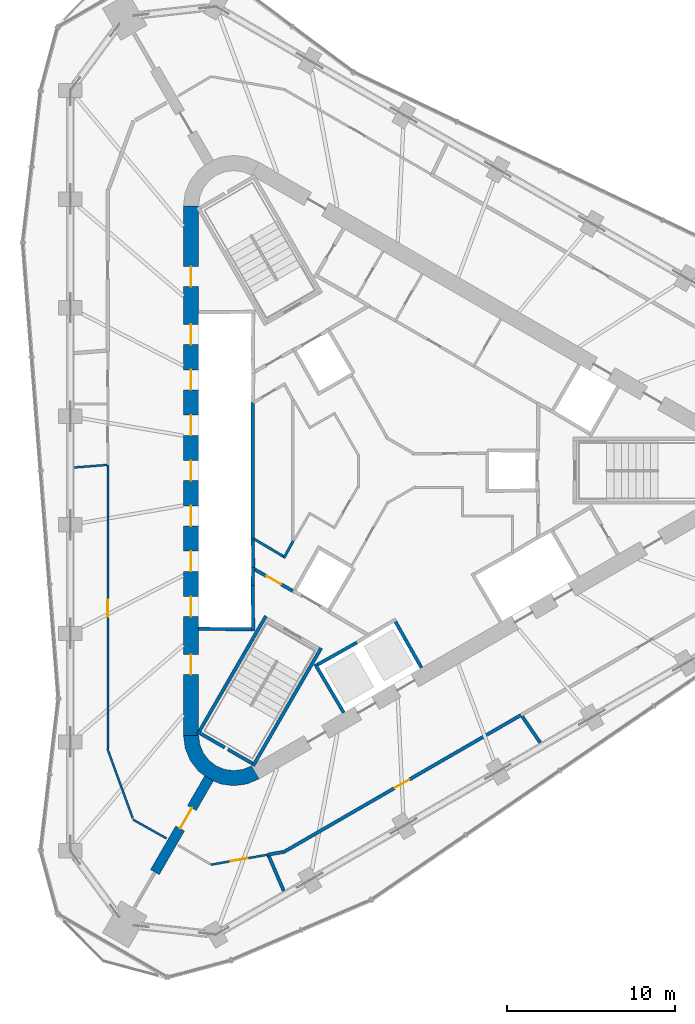
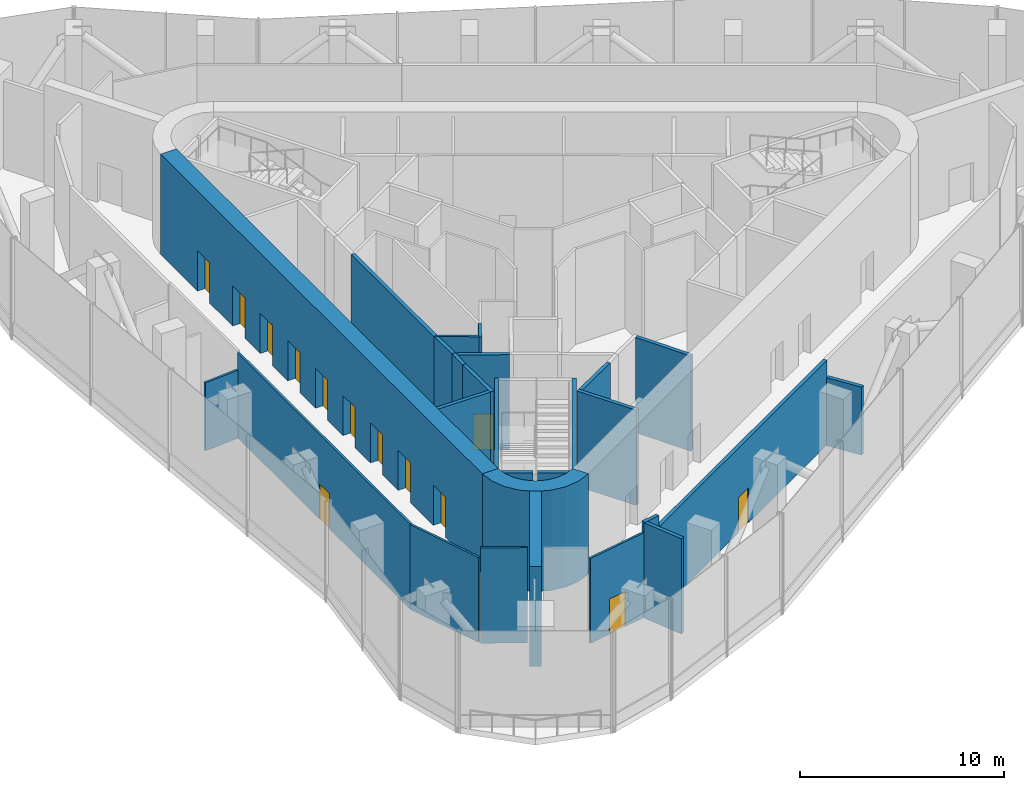
# One storey, part 7 of 15: 27 walls, 14 doors, 14 openings.
"""IFC4 building model written with IfcOpenShell, lengths in metres."""

from ifc_helpers import new_model, si_unit, direction, frame, frame_2d, origin, place, context, subcontext, project, spatial, polyline, rectangle, outline, extrude, material, layer, layer_set, type_object, element, fill, save


model = new_model("IFC4")

# Units and contexts
model_context = context("Model", 3, precision=1e-05, world=origin(), true_north=direction((0.0, 1.0)))
body_context = subcontext(model_context, "Body", "Model", "MODEL_VIEW")
ifc_project = project(units=[si_unit("LENGTHUNIT", "METRE"), si_unit("AREAUNIT", "SQUARE_METRE"), si_unit("VOLUMEUNIT", "CUBIC_METRE"), si_unit("PLANEANGLEUNIT", "RADIAN"), si_unit("MASSUNIT", "GRAM", prefix="KILO")], contexts=[model_context])

# Site, building, storey
site_placement = place(None, origin())
site = spatial("IfcSite", under=ifc_project, at=site_placement, CompositionType="ELEMENT")
building_placement = place(site_placement, origin())
building = spatial("IfcBuilding", under=site, at=building_placement, Name="Tanit Gate Tower", CompositionType="ELEMENT")
storey_placement = place(building_placement, frame((0.0, 0.0, 392.300048828125)))
storey = spatial("IfcBuildingStorey", under=building, at=storey_placement, Name="L90", CompositionType="ELEMENT", Elevation=392.300048828125)

# Wall, opening, door
ifc_material_1 = material(Name="Concrete C40/50", Category="concrete")
ifc_layer_1 = layer(ifc_material_1, 0.60009765625)
ifc_layer_set_1 = layer_set([ifc_layer_1], Name="BUTTRESS FIN 600 C40/50")
wall_type_1 = type_object("IfcWallType", Name="BUTTRESS FIN 600 C40/50", PredefinedType="SHEAR", material=ifc_layer_set_1)
wall_1_placement = place(storey_placement, frame((-10.574951171875, -18.31640625, 0.0), z_axis=(0.0, 0.0, 1.0), x_axis=(-0.500011655475, -0.866018674388, 0.0)))
wall_1 = element("IfcWall", 1, at=wall_1_placement, inside=storey, type_object=wall_type_1, Name="BUTTRESS FIN", PredefinedType="SHEAR", context=body_context, shape_type="SweptSolid", body=[
    extrude(rectangle(XDim=6.454833984375, YDim=0.60009765625, at=frame_2d((3.2275390625, 0.0))), origin(), (0.0, 0.0, 1.0), 6.0),
])
opening_1_placement = place(wall_1_placement, frame((2.050048828125, 0.0, 0.0)))
opening_1 = element("IfcOpeningElement", 2, at=opening_1_placement, cuts=wall_1, Name="Opening P14-90-F-SW-1", PredefinedType="OPENING", context=body_context, shape_type="SweptSolid", body=[
    extrude(rectangle(XDim=1.39990234375, YDim=2.39990234375, at=frame_2d((0.699951171875, 1.199951171875))), frame((0.0, 0.31005859375, 0.0), z_axis=(0.0, -1.0, 0.0), x_axis=(1.0, 0.0, 0.0)), (0.0, 0.0, 1.0), 0.6201171875),
])
ifc_material_2 = material(Name="Timber door leaf", Category="wood")
door_type_1 = type_object("IfcDoorType", Name="INT-DOOR-FIN-PAIR-1400", OperationType="NOTDEFINED", PredefinedType="NOTDEFINED", material=ifc_material_2)
door_1_placement = place(opening_1_placement, origin())
door_1 = element("IfcDoor", 3, at=door_1_placement, inside=storey, type_object=door_type_1, Name="Door P14-90-F-SW-1", OperationType="DOUBLE_DOOR_SINGLE_SWING", OverallHeight=2.39990234375, OverallWidth=1.39990234375, PredefinedType="NOTDEFINED", context=body_context, shape_type="SweptSolid", body=[
    extrude(rectangle(XDim=1.39990234375, YDim=2.39990234375, at=frame_2d((0.699951171875, 1.199951171875))), frame((0.0, 0.02490234375, 0.0), z_axis=(0.0, -1.0, 0.0), x_axis=(1.0, 0.0, 0.0)), (0.0, 0.0, 1.0), 0.050048828125),
])
fill(opening_1, door_1)

# Wall, openings, doors
ifc_material_3 = material(Name="Concrete C40/50", Category="concrete")
ifc_layer_2 = layer(ifc_material_3, 0.89990234375)
ifc_layer_set_2 = layer_set([ifc_layer_2], Name="CORE WALL 900 C40/50")
wall_type_2 = type_object("IfcWallType", Name="CORE WALL 900 C40/50", PredefinedType="SHEAR", material=ifc_layer_set_2)
wall_2_placement = place(storey_placement, frame((-11.64990234375, 15.76171875, 0.0), z_axis=(0.0, 0.0, 1.0), x_axis=(0.0, -1.0, 0.0)))
wall_2 = element("IfcWall", 4, at=wall_2_placement, inside=storey, type_object=wall_type_2, Name="CORE WALL", PredefinedType="SHEAR", context=body_context, shape_type="SweptSolid", body=[
    extrude(rectangle(XDim=31.5234375, YDim=0.89990234375, at=frame_2d((15.76171875, 0.0))), origin(), (0.0, 0.0, 1.0), 6.0),
])
opening_2_placement = place(wall_2_placement, frame((7.061767578125, 0.0, 0.0)))
opening_2 = element("IfcOpeningElement", 5, at=opening_2_placement, cuts=wall_2, Name="Opening LDHL1-90", PredefinedType="OPENING", context=body_context, shape_type="SweptSolid", body=[
    extrude(rectangle(XDim=1.199951171875, YDim=2.39990234375, at=frame_2d((0.60009765625, 1.199951171875))), frame((0.0, 0.4599609375, 0.0), z_axis=(0.0, -1.0, 0.0), x_axis=(1.0, 0.0, 0.0)), (0.0, 0.0, 1.0), 0.919921875),
])
opening_3_placement = place(wall_2_placement, frame((9.76171875, 0.0, 0.0)))
opening_3 = element("IfcOpeningElement", 6, at=opening_3_placement, cuts=wall_2, Name="Opening LDHL2-90", PredefinedType="OPENING", context=body_context, shape_type="SweptSolid", body=[
    extrude(rectangle(XDim=1.199951171875, YDim=2.39990234375, at=frame_2d((0.60009765625, 1.199951171875))), frame((0.0, 0.4599609375, 0.0), z_axis=(0.0, -1.0, 0.0), x_axis=(1.0, 0.0, 0.0)), (0.0, 0.0, 1.0), 0.919921875),
])
opening_4_placement = place(wall_2_placement, frame((12.461669921875, 0.0, 0.0)))
opening_4 = element("IfcOpeningElement", 7, at=opening_4_placement, cuts=wall_2, Name="Opening LDHL3-90", PredefinedType="OPENING", context=body_context, shape_type="SweptSolid", body=[
    extrude(rectangle(XDim=1.199951171875, YDim=2.39990234375, at=frame_2d((0.60009765625, 1.199951171875))), frame((0.0, 0.4599609375, 0.0), z_axis=(0.0, -1.0, 0.0), x_axis=(1.0, 0.0, 0.0)), (0.0, 0.0, 1.0), 0.919921875),
])
opening_5_placement = place(wall_2_placement, frame((15.16162109375, 0.0, 0.0)))
opening_5 = element("IfcOpeningElement", 8, at=opening_5_placement, cuts=wall_2, Name="Opening LDHL4-90", PredefinedType="OPENING", context=body_context, shape_type="SweptSolid", body=[
    extrude(rectangle(XDim=1.199951171875, YDim=2.39990234375, at=frame_2d((0.60009765625, 1.199951171875))), frame((0.0, 0.4599609375, 0.0), z_axis=(0.0, -1.0, 0.0), x_axis=(1.0, 0.0, 0.0)), (0.0, 0.0, 1.0), 0.919921875),
])
opening_6_placement = place(wall_2_placement, frame((17.86181640625, 0.0, 0.0)))
opening_6 = element("IfcOpeningElement", 9, at=opening_6_placement, cuts=wall_2, Name="Opening LDHL5-90", PredefinedType="OPENING", context=body_context, shape_type="SweptSolid", body=[
    extrude(rectangle(XDim=1.199951171875, YDim=2.39990234375, at=frame_2d((0.60009765625, 1.199951171875))), frame((0.0, 0.4599609375, 0.0), z_axis=(0.0, -1.0, 0.0), x_axis=(1.0, 0.0, 0.0)), (0.0, 0.0, 1.0), 0.919921875),
])
opening_7_placement = place(wall_2_placement, frame((20.561767578125, 0.0, 0.0)))
opening_7 = element("IfcOpeningElement", 10, at=opening_7_placement, cuts=wall_2, Name="Opening LDHL6-90", PredefinedType="OPENING", context=body_context, shape_type="SweptSolid", body=[
    extrude(rectangle(XDim=1.199951171875, YDim=2.39990234375, at=frame_2d((0.60009765625, 1.199951171875))), frame((0.0, 0.4599609375, 0.0), z_axis=(0.0, -1.0, 0.0), x_axis=(1.0, 0.0, 0.0)), (0.0, 0.0, 1.0), 0.919921875),
])
opening_8_placement = place(wall_2_placement, frame((23.26171875, 0.0, 0.0)))
opening_8 = element("IfcOpeningElement", 11, at=opening_8_placement, cuts=wall_2, Name="Opening LDHL7-90", PredefinedType="OPENING", context=body_context, shape_type="SweptSolid", body=[
    extrude(rectangle(XDim=1.199951171875, YDim=2.39990234375, at=frame_2d((0.60009765625, 1.199951171875))), frame((0.0, 0.4599609375, 0.0), z_axis=(0.0, -1.0, 0.0), x_axis=(1.0, 0.0, 0.0)), (0.0, 0.0, 1.0), 0.919921875),
])
opening_9_placement = place(wall_2_placement, frame((3.61181640625, 0.0, 0.0)))
opening_9 = element("IfcOpeningElement", 12, at=opening_9_placement, cuts=wall_2, Name="Opening F12-90-FL2", PredefinedType="OPENING", context=body_context, shape_type="SweptSolid", body=[
    extrude(rectangle(XDim=1.199951171875, YDim=2.39990234375, at=frame_2d((0.60009765625, 1.199951171875))), frame((0.0, 0.4599609375, 0.0), z_axis=(0.0, -1.0, 0.0), x_axis=(1.0, 0.0, 0.0)), (0.0, 0.0, 1.0), 0.919921875),
])
opening_10_placement = place(wall_2_placement, frame((26.711669921875, 0.0, 0.0)))
opening_10 = element("IfcOpeningElement", 13, at=opening_10_placement, cuts=wall_2, Name="Opening F12-90-S3", PredefinedType="OPENING", context=body_context, shape_type="SweptSolid", body=[
    extrude(rectangle(XDim=1.199951171875, YDim=2.39990234375, at=frame_2d((0.60009765625, 1.199951171875))), frame((0.0, 0.4599609375, 0.0), z_axis=(0.0, -1.0, 0.0), x_axis=(1.0, 0.0, 0.0)), (0.0, 0.0, 1.0), 0.919921875),
])
ifc_material_4 = material(Name="Fire-rated steel door leaf", Category="steel")
door_type_2 = type_object("IfcDoorType", Name="INT-DOOR-FIRE-LOBBY-1200", OperationType="NOTDEFINED", PredefinedType="USERDEFINED", material=ifc_material_4)
door_2_placement = place(opening_9_placement, origin())
door_2 = element("IfcDoor", 14, at=door_2_placement, inside=storey, type_object=door_type_2, Name="Door F12-90-FL2", ObjectType="FIRE DOOR", OperationType="SINGLE_SWING_LEFT", OverallHeight=2.39990234375, OverallWidth=1.199951171875, PredefinedType="USERDEFINED", context=body_context, shape_type="SweptSolid", body=[
    extrude(rectangle(XDim=1.199951171875, YDim=2.39990234375, at=frame_2d((0.60009765625, 1.199951171875))), frame((0.0, 0.02490234375, 0.0), z_axis=(0.0, -1.0, 0.0), x_axis=(1.0, 0.0, 0.0)), (0.0, 0.0, 1.0), 0.050048828125),
])
fill(opening_9, door_2)
door_3_placement = place(opening_10_placement, origin())
door_3 = element("IfcDoor", 15, at=door_3_placement, inside=storey, type_object=door_type_2, Name="Door F12-90-S3", ObjectType="FIRE DOOR", OperationType="SINGLE_SWING_RIGHT", OverallHeight=2.39990234375, OverallWidth=1.199951171875, PredefinedType="USERDEFINED", context=body_context, shape_type="SweptSolid", body=[
    extrude(rectangle(XDim=1.199951171875, YDim=2.39990234375, at=frame_2d((0.60009765625, 1.199951171875))), frame((0.0, 0.02490234375, 0.0), z_axis=(0.0, -1.0, 0.0), x_axis=(1.0, 0.0, 0.0)), (0.0, 0.0, 1.0), 0.050048828125),
])
fill(opening_10, door_3)
ifc_material_5 = material(Name="Stainless steel sliding door leaf", Category="steel")
door_type_3 = type_object("IfcDoorType", Name="INT-DOOR-LANDING-1200", OperationType="NOTDEFINED", PredefinedType="USERDEFINED", material=ifc_material_5)
door_4_placement = place(opening_2_placement, origin())
door_4 = element("IfcDoor", 16, at=door_4_placement, inside=storey, type_object=door_type_3, Name="Door LDHL1-90", ObjectType="LANDING DOOR", OperationType="SLIDING_TO_LEFT", OverallHeight=2.39990234375, OverallWidth=1.199951171875, PredefinedType="USERDEFINED", context=body_context, shape_type="SweptSolid", body=[
    extrude(rectangle(XDim=1.199951171875, YDim=2.39990234375, at=frame_2d((0.60009765625, 1.199951171875))), frame((0.0, 0.02490234375, 0.0), z_axis=(0.0, -1.0, 0.0), x_axis=(1.0, 0.0, 0.0)), (0.0, 0.0, 1.0), 0.050048828125),
])
fill(opening_2, door_4)
door_5_placement = place(opening_3_placement, origin())
door_5 = element("IfcDoor", 17, at=door_5_placement, inside=storey, type_object=door_type_3, Name="Door LDHL2-90", ObjectType="LANDING DOOR", OperationType="SLIDING_TO_LEFT", OverallHeight=2.39990234375, OverallWidth=1.199951171875, PredefinedType="USERDEFINED", context=body_context, shape_type="SweptSolid", body=[
    extrude(rectangle(XDim=1.199951171875, YDim=2.39990234375, at=frame_2d((0.60009765625, 1.199951171875))), frame((0.0, 0.02490234375, 0.0), z_axis=(0.0, -1.0, 0.0), x_axis=(1.0, 0.0, 0.0)), (0.0, 0.0, 1.0), 0.050048828125),
])
fill(opening_3, door_5)
door_6_placement = place(opening_4_placement, origin())
door_6 = element("IfcDoor", 18, at=door_6_placement, inside=storey, type_object=door_type_3, Name="Door LDHL3-90", ObjectType="LANDING DOOR", OperationType="SLIDING_TO_LEFT", OverallHeight=2.39990234375, OverallWidth=1.199951171875, PredefinedType="USERDEFINED", context=body_context, shape_type="SweptSolid", body=[
    extrude(rectangle(XDim=1.199951171875, YDim=2.39990234375, at=frame_2d((0.60009765625, 1.199951171875))), frame((0.0, 0.02490234375, 0.0), z_axis=(0.0, -1.0, 0.0), x_axis=(1.0, 0.0, 0.0)), (0.0, 0.0, 1.0), 0.050048828125),
])
fill(opening_4, door_6)
door_7_placement = place(opening_5_placement, origin())
door_7 = element("IfcDoor", 19, at=door_7_placement, inside=storey, type_object=door_type_3, Name="Door LDHL4-90", ObjectType="LANDING DOOR", OperationType="SLIDING_TO_LEFT", OverallHeight=2.39990234375, OverallWidth=1.199951171875, PredefinedType="USERDEFINED", context=body_context, shape_type="SweptSolid", body=[
    extrude(rectangle(XDim=1.199951171875, YDim=2.39990234375, at=frame_2d((0.60009765625, 1.199951171875))), frame((0.0, 0.02490234375, 0.0), z_axis=(0.0, -1.0, 0.0), x_axis=(1.0, 0.0, 0.0)), (0.0, 0.0, 1.0), 0.050048828125),
])
fill(opening_5, door_7)
door_8_placement = place(opening_6_placement, origin())
door_8 = element("IfcDoor", 20, at=door_8_placement, inside=storey, type_object=door_type_3, Name="Door LDHL5-90", ObjectType="LANDING DOOR", OperationType="SLIDING_TO_LEFT", OverallHeight=2.39990234375, OverallWidth=1.199951171875, PredefinedType="USERDEFINED", context=body_context, shape_type="SweptSolid", body=[
    extrude(rectangle(XDim=1.199951171875, YDim=2.39990234375, at=frame_2d((0.60009765625, 1.199951171875))), frame((0.0, 0.02490234375, 0.0), z_axis=(0.0, -1.0, 0.0), x_axis=(1.0, 0.0, 0.0)), (0.0, 0.0, 1.0), 0.050048828125),
])
fill(opening_6, door_8)
door_9_placement = place(opening_7_placement, origin())
door_9 = element("IfcDoor", 21, at=door_9_placement, inside=storey, type_object=door_type_3, Name="Door LDHL6-90", ObjectType="LANDING DOOR", OperationType="SLIDING_TO_LEFT", OverallHeight=2.39990234375, OverallWidth=1.199951171875, PredefinedType="USERDEFINED", context=body_context, shape_type="SweptSolid", body=[
    extrude(rectangle(XDim=1.199951171875, YDim=2.39990234375, at=frame_2d((0.60009765625, 1.199951171875))), frame((0.0, 0.02490234375, 0.0), z_axis=(0.0, -1.0, 0.0), x_axis=(1.0, 0.0, 0.0)), (0.0, 0.0, 1.0), 0.050048828125),
])
fill(opening_7, door_9)
door_10_placement = place(opening_8_placement, origin())
door_10 = element("IfcDoor", 22, at=door_10_placement, inside=storey, type_object=door_type_3, Name="Door LDHL7-90", ObjectType="LANDING DOOR", OperationType="SLIDING_TO_LEFT", OverallHeight=2.39990234375, OverallWidth=1.199951171875, PredefinedType="USERDEFINED", context=body_context, shape_type="SweptSolid", body=[
    extrude(rectangle(XDim=1.199951171875, YDim=2.39990234375, at=frame_2d((0.60009765625, 1.199951171875))), frame((0.0, 0.02490234375, 0.0), z_axis=(0.0, -1.0, 0.0), x_axis=(1.0, 0.0, 0.0)), (0.0, 0.0, 1.0), 0.050048828125),
])
fill(opening_8, door_10)

# Wall
wall_3_placement = place(storey_placement, origin())
element("IfcWall", 23, at=wall_3_placement, inside=storey, type_object=wall_type_2, Name="CORE WALL CORNER", PredefinedType="SHEAR", context=body_context, shape_type="SweptSolid", body=[
    extrude(outline(polyline([(-12.10009765625, -15.76171875), (-11.997802734375, -16.5380859375), (-11.697998046875, -17.26171875), (-11.22119140625, -17.883056640625), (-10.60009765625, -18.359619140625), (-9.87646484375, -18.659423828125), (-9.10009765625, -18.76171875), (-8.323486328125, -18.659423828125), (-7.60009765625, -18.359619140625), (-8.050048828125, -17.580322265625), (-8.556396484375, -17.7900390625), (-9.10009765625, -17.86181640625), (-9.6435546875, -17.7900390625), (-10.14990234375, -17.580322265625), (-10.5849609375, -17.24658203125), (-10.918701171875, -16.811767578125), (-11.12841796875, -16.30517578125), (-11.199951171875, -15.76171875), (-12.10009765625, -15.76171875)])), origin(), (0.0, 0.0, 1.0), 6.0),
])

# Wall, opening, door
ifc_material_6 = material(Name="Fire-rated gypsum board partition")
ifc_layer_3 = layer(ifc_material_6, 0.199951171875)
ifc_layer_set_3 = layer_set([ifc_layer_3], Name="INT-WALL-COMPARTMENT")
wall_type_3 = type_object("IfcWallType", Name="INT-WALL-COMPARTMENT", PredefinedType="PARTITIONING", material=ifc_layer_set_3)
wall_4_placement = place(storey_placement, frame((-7.849365234375, -5.893798828125, 0.0), z_axis=(0.0, 0.0, 1.0), x_axis=(0.871363259478, -0.490638431059, 0.0)))
wall_4 = element("IfcWall", 24, at=wall_4_placement, inside=storey, type_object=wall_type_3, Name="Wall Compartment W069", PredefinedType="PARTITIONING", context=body_context, shape_type="SweptSolid", body=[
    extrude(rectangle(XDim=2.5810546875, YDim=0.199951171875, at=frame_2d((1.29052734375, 0.0))), origin(), (0.0, 0.0, 1.0), 5.699951171875),
])
opening_11_placement = place(wall_4_placement, frame((0.79052734375, 0.0, 0.0)))
opening_11 = element("IfcOpeningElement", 25, at=opening_11_placement, cuts=wall_4, Name="Opening F10-90-08", PredefinedType="OPENING", context=body_context, shape_type="SweptSolid", body=[
    extrude(rectangle(XDim=1.0, YDim=2.10009765625, at=frame_2d((0.5, 1.050048828125))), frame((0.0, 0.10986328125, 0.0), z_axis=(0.0, -1.0, 0.0), x_axis=(1.0, 0.0, 0.0)), (0.0, 0.0, 1.0), 0.219970703125),
])
ifc_material_7 = material(Name="Fire-rated steel door leaf", Category="steel")
door_type_4 = type_object("IfcDoorType", Name="INT-DOOR-FIRE-1000", OperationType="NOTDEFINED", PredefinedType="USERDEFINED", material=ifc_material_7)
door_11_placement = place(opening_11_placement, origin())
door_11 = element("IfcDoor", 26, at=door_11_placement, inside=storey, type_object=door_type_4, Name="Door F10-90-08", ObjectType="FIRE DOOR", OperationType="SINGLE_SWING_RIGHT", OverallHeight=2.10009765625, OverallWidth=1.0, PredefinedType="USERDEFINED", context=body_context, shape_type="SweptSolid", body=[
    extrude(rectangle(XDim=1.0, YDim=2.10009765625, at=frame_2d((0.5, 1.050048828125))), frame((0.0, 0.02490234375, 0.0), z_axis=(0.0, -1.0, 0.0), x_axis=(1.0, 0.0, 0.0)), (0.0, 0.0, 1.0), 0.050048828125),
])
fill(opening_11, door_11)

wall_5_placement = place(storey_placement, frame((-6.1923828125, -22.7431640625, 0.0), z_axis=(0.0, 0.0, 1.0), x_axis=(0.86602812093, 0.499995293736, 0.0)))
wall_5 = element("IfcWall", 27, at=wall_5_placement, inside=storey, type_object=wall_type_3, Name="Wall Compartment W114", PredefinedType="PARTITIONING", context=body_context, shape_type="SweptSolid", body=[
    extrude(rectangle(XDim=16.369384765625, YDim=0.199951171875, at=frame_2d((8.1845703125, 0.0))), origin(), (0.0, 0.0, 1.0), 5.070068359375),
])
opening_12_placement = place(wall_5_placement, frame((7.699951171875, 0.0, 0.0)))
opening_12 = element("IfcOpeningElement", 28, at=opening_12_placement, cuts=wall_5, Name="Opening F10-90-26", PredefinedType="OPENING", context=body_context, shape_type="SweptSolid", body=[
    extrude(rectangle(XDim=1.0, YDim=2.10009765625, at=frame_2d((0.5, 1.050048828125))), frame((0.0, 0.10986328125, 0.0), z_axis=(0.0, -1.0, 0.0), x_axis=(1.0, 0.0, 0.0)), (0.0, 0.0, 1.0), 0.219970703125),
])
door_12_placement = place(opening_12_placement, origin())
door_12 = element("IfcDoor", 29, at=door_12_placement, inside=storey, type_object=door_type_4, Name="Door F10-90-26", ObjectType="FIRE DOOR", OperationType="SINGLE_SWING_LEFT", OverallHeight=2.10009765625, OverallWidth=1.0, PredefinedType="USERDEFINED", context=body_context, shape_type="SweptSolid", body=[
    extrude(rectangle(XDim=1.0, YDim=2.10009765625, at=frame_2d((0.5, 1.050048828125))), frame((0.0, 0.02490234375, 0.0), z_axis=(0.0, -1.0, 0.0), x_axis=(1.0, 0.0, 0.0)), (0.0, 0.0, 1.0), 0.050048828125),
])
fill(opening_12, door_12)

# Walls
wall_6_placement = place(storey_placement, frame((-7.09228515625, -22.8671875, 0.0), z_axis=(0.0, 0.0, 1.0), x_axis=(0.984821698497, 0.173569070315, 0.0)))
element("IfcWall", 30, at=wall_6_placement, inside=storey, type_object=wall_type_3, Name="Wall Compartment W115", PredefinedType="PARTITIONING", context=body_context, shape_type="SweptSolid", body=[
    extrude(rectangle(XDim=0.901611328125, YDim=0.199951171875, at=frame_2d((0.45068359375, 0.0))), origin(), (0.0, 0.0, 1.0), 5.699951171875),
])
wall_7_placement = place(storey_placement, frame((-7.035400390625, -22.918212890625, 0.0), z_axis=(0.0, 0.0, 1.0), x_axis=(0.395604523809, -0.91842096053, 0.0)))
element("IfcWall", 31, at=wall_7_placement, inside=storey, type_object=wall_type_3, Name="Wall Compartment W119", PredefinedType="PARTITIONING", context=body_context, shape_type="SweptSolid", body=[
    extrude(rectangle(XDim=2.28955078125, YDim=0.199951171875, at=frame_2d((1.144775390625, 0.0))), origin(), (0.0, 0.0, 1.0), 5.699951171875),
])
wall_8_placement = place(storey_placement, frame((8.0615234375, -14.629150390625, 0.0), z_axis=(0.0, 0.0, 1.0), x_axis=(0.565801599427, -0.824541418054, 0.0)))
element("IfcWall", 32, at=wall_8_placement, inside=storey, type_object=wall_type_3, Name="Wall Compartment W120", PredefinedType="PARTITIONING", context=body_context, shape_type="SweptSolid", body=[
    extrude(rectangle(XDim=1.909912109375, YDim=0.199951171875, at=frame_2d((0.955078125, 0.0))), origin(), (0.0, 0.0, 1.0), 4.070068359375),
])

# Wall, opening, door
ifc_material_8 = material(Name="Gypsum board partition")
ifc_layer_4 = layer(ifc_material_8, 0.1201171875)
ifc_layer_set_4 = layer_set([ifc_layer_4], Name="INT-WALL-PARTITION")
wall_type_4 = type_object("IfcWallType", Name="INT-WALL-PARTITION", PredefinedType="PARTITIONING", material=ifc_layer_set_4)
wall_9_placement = place(storey_placement, frame((-16.60009765625, 0.343505859375, 0.0), z_axis=(0.0, 0.0, 1.0), x_axis=(0.0, -1.0, 0.0)))
wall_9 = element("IfcWall", 33, at=wall_9_placement, inside=storey, type_object=wall_type_4, Name="Wall Partition W098", PredefinedType="PARTITIONING", context=body_context, shape_type="SweptSolid", body=[
    extrude(rectangle(XDim=16.91796875, YDim=0.1201171875, at=frame_2d((8.458984375, 0.0))), origin(), (0.0, 0.0, 1.0), 5.070068359375),
])
opening_13_placement = place(wall_9_placement, frame((8.03466796875, 0.0, 0.0)))
opening_13 = element("IfcOpeningElement", 34, at=opening_13_placement, cuts=wall_9, Name="Opening D10-90-22", PredefinedType="OPENING", context=body_context, shape_type="SweptSolid", body=[
    extrude(rectangle(XDim=1.0, YDim=2.10009765625, at=frame_2d((0.5, 1.050048828125))), frame((0.0, 0.070068359375, 0.0), z_axis=(0.0, -1.0, 0.0), x_axis=(1.0, 0.0, 0.0)), (0.0, 0.0, 1.0), 0.14013671875),
])
ifc_material_9 = material(Name="Timber door leaf", Category="wood")
door_type_5 = type_object("IfcDoorType", Name="INT-DOOR-SINGLE-1000", OperationType="NOTDEFINED", PredefinedType="NOTDEFINED", material=ifc_material_9)
door_13_placement = place(opening_13_placement, origin())
door_13 = element("IfcDoor", 35, at=door_13_placement, inside=storey, type_object=door_type_5, Name="Door D10-90-22", OperationType="SINGLE_SWING_LEFT", OverallHeight=2.10009765625, OverallWidth=1.0, PredefinedType="NOTDEFINED", context=body_context, shape_type="SweptSolid", body=[
    extrude(rectangle(XDim=1.0, YDim=2.10009765625, at=frame_2d((0.5, 1.050048828125))), frame((0.0, 0.02490234375, 0.0), z_axis=(0.0, -1.0, 0.0), x_axis=(1.0, 0.0, 0.0)), (0.0, 0.0, 1.0), 0.050048828125),
])
fill(opening_13, door_13)

# Walls
wall_10_placement = place(storey_placement, frame((-15.108154296875, -20.77587890625, 0.0), z_axis=(0.0, 0.0, 1.0), x_axis=(0.87159257267, -0.490230952986, 0.0)))
element("IfcWall", 36, at=wall_10_placement, inside=storey, type_object=wall_type_4, Name="Wall Partition W096", PredefinedType="PARTITIONING", context=body_context, shape_type="SweptSolid", body=[
    extrude(rectangle(XDim=2.29638671875, YDim=0.1201171875, at=frame_2d((1.148193359375, 0.0))), origin(), (0.0, 0.0, 1.0), 5.699951171875),
])
wall_11_placement = place(storey_placement, frame((-16.62060546875, -16.578125, 0.0), z_axis=(0.0, 0.0, 1.0), x_axis=(0.342055849832, -0.939679623912, 0.0)))
element("IfcWall", 37, at=wall_11_placement, inside=storey, type_object=wall_type_4, Name="Wall Partition W097", PredefinedType="PARTITIONING", context=body_context, shape_type="SweptSolid", body=[
    extrude(rectangle(XDim=4.38671875, YDim=0.1201171875, at=frame_2d((2.193359375, 0.0))), origin(), (0.0, 0.0, 1.0), 5.070068359375),
])
wall_12_placement = place(storey_placement, frame((-16.659912109375, 0.33642578125, 0.0), z_axis=(0.0, 0.0, 1.0), x_axis=(-0.996963204586, -0.077874056669, 0.0)))
element("IfcWall", 38, at=wall_12_placement, inside=storey, type_object=wall_type_4, Name="Wall Partition W102", PredefinedType="PARTITIONING", context=body_context, shape_type="SweptSolid", body=[
    extrude(rectangle(XDim=1.949951171875, YDim=0.1201171875, at=frame_2d((0.97509765625, 0.0))), origin(), (0.0, 0.0, 1.0), 4.070068359375),
])

# Wall, opening, door
wall_13_placement = place(storey_placement, frame((-10.4794921875, -23.46435546875, 0.0), z_axis=(0.0, 0.0, 1.0), x_axis=(0.984812129081, 0.173623357916, 0.0)))
wall_13 = element("IfcWall", 39, at=wall_13_placement, inside=storey, type_object=wall_type_4, Name="Wall Partition W112", PredefinedType="PARTITIONING", context=body_context, shape_type="SweptSolid", body=[
    extrude(rectangle(XDim=3.439453125, YDim=0.1201171875, at=frame_2d((1.7197265625, 0.0))), origin(), (0.0, 0.0, 1.0), 5.070068359375),
])
opening_14_placement = place(wall_13_placement, frame((1.22216796875, 0.0, 0.0)))
opening_14 = element("IfcOpeningElement", 40, at=opening_14_placement, cuts=wall_13, Name="Opening D10-90-25", PredefinedType="OPENING", context=body_context, shape_type="SweptSolid", body=[
    extrude(rectangle(XDim=1.0, YDim=2.10009765625, at=frame_2d((0.5, 1.050048828125))), frame((0.0, 0.070068359375, 0.0), z_axis=(0.0, -1.0, 0.0), x_axis=(1.0, 0.0, 0.0)), (0.0, 0.0, 1.0), 0.14013671875),
])
door_14_placement = place(opening_14_placement, origin())
door_14 = element("IfcDoor", 41, at=door_14_placement, inside=storey, type_object=door_type_5, Name="Door D10-90-25", OperationType="SINGLE_SWING_RIGHT", OverallHeight=2.10009765625, OverallWidth=1.0, PredefinedType="NOTDEFINED", context=body_context, shape_type="SweptSolid", body=[
    extrude(rectangle(XDim=1.0, YDim=2.10009765625, at=frame_2d((0.5, 1.050048828125))), frame((0.0, 0.02490234375, 0.0), z_axis=(0.0, -1.0, 0.0), x_axis=(1.0, 0.0, 0.0)), (0.0, 0.0, 1.0), 0.050048828125),
])
fill(opening_14, door_14)

# Walls
ifc_material_10 = material(Name="Fire-rated gypsum board partition")
ifc_layer_5 = layer(ifc_material_10, 0.14990234375)
ifc_layer_set_5 = layer_set([ifc_layer_5], Name="INT-WALL-RISER")
wall_type_5 = type_object("IfcWallType", Name="INT-WALL-RISER", PredefinedType="PLUMBINGWALL", material=ifc_layer_set_5)
wall_14_placement = place(storey_placement, frame((-6.1240234375, -5.211181640625, 0.0), z_axis=(0.0, 0.0, 1.0), x_axis=(0.476228984866, 0.879321303036, 0.0)))
element("IfcWall", 42, at=wall_14_placement, inside=storey, type_object=wall_type_5, Name="Wall Riser W080", PredefinedType="PLUMBINGWALL", context=body_context, shape_type="SweptSolid", body=[
    extrude(rectangle(XDim=1.16162109375, YDim=0.14990234375, at=frame_2d((0.580810546875, 0.0))), origin(), (0.0, 0.0, 1.0), 5.699951171875),
])
wall_15_placement = place(storey_placement, frame((-7.949951171875, -4.041015625, 0.0), z_axis=(0.0, 0.0, 1.0), x_axis=(0.860090281069, -0.510141851263, 0.0)))
element("IfcWall", 43, at=wall_15_placement, inside=storey, type_object=wall_type_5, Name="Wall Riser W081", PredefinedType="PLUMBINGWALL", context=body_context, shape_type="SweptSolid", body=[
    extrude(rectangle(XDim=2.08935546875, YDim=0.14990234375, at=frame_2d((1.044677734375, 0.0))), origin(), (0.0, 0.0, 1.0), 5.699951171875),
])
ifc_material_11 = material(Name="Gypsum shaft wall system")
ifc_layer_6 = layer(ifc_material_11, 0.199951171875)
ifc_layer_set_6 = layer_set([ifc_layer_6], Name="INT-WALL-SHAFT")
wall_type_6 = type_object("IfcWallType", Name="INT-WALL-SHAFT", PredefinedType="PLUMBINGWALL", material=ifc_layer_set_6)
wall_16_placement = place(storey_placement, frame((-7.97998046875, 4.050048828125, 0.0), z_axis=(0.0, 0.0, 1.0), x_axis=(0.0, -1.0, 0.0)))
element("IfcWall", 44, at=wall_16_placement, inside=storey, type_object=wall_type_6, Name="Wall Shaft W005", PredefinedType="PLUMBINGWALL", context=body_context, shape_type="SweptSolid", body=[
    extrude(rectangle(XDim=8.10009765625, YDim=0.199951171875, at=frame_2d((4.050048828125, 0.0))), origin(), (0.0, 0.0, 1.0), 5.699951171875),
])
wall_17_placement = place(storey_placement, frame((-7.949951171875, -5.7724609375, 0.0), z_axis=(0.0, 0.0, 1.0), x_axis=(-0.030803413295, -0.999525462272, 0.0)))
element("IfcWall", 45, at=wall_17_placement, inside=storey, type_object=wall_type_6, Name="Wall Shaft W008", PredefinedType="PLUMBINGWALL", context=body_context, shape_type="SweptSolid", body=[
    extrude(rectangle(XDim=1.077880859375, YDim=0.199951171875, at=frame_2d((0.5390625, 0.0))), origin(), (0.0, 0.0, 1.0), 5.699951171875),
])
wall_18_placement = place(storey_placement, frame((-7.971435546875, -4.050048828125, 0.0), z_axis=(0.0, 0.0, 1.0), x_axis=(0.012042535896, -0.999927486035, 0.0)))
element("IfcWall", 46, at=wall_18_placement, inside=storey, type_object=wall_type_6, Name="Wall Shaft W009", PredefinedType="PLUMBINGWALL", context=body_context, shape_type="SweptSolid", body=[
    extrude(rectangle(XDim=1.844970703125, YDim=0.199951171875, at=frame_2d((0.92236328125, 0.0))), origin(), (0.0, 0.0, 1.0), 5.699951171875),
])
wall_19_placement = place(storey_placement, frame((-7.97900390625, -6.85009765625, 0.0), z_axis=(0.0, 0.0, 1.0), x_axis=(0.011121475088, -0.999938154483, 0.0)))
element("IfcWall", 47, at=wall_19_placement, inside=storey, type_object=wall_type_6, Name="Wall Shaft W010", PredefinedType="PLUMBINGWALL", context=body_context, shape_type="SweptSolid", body=[
    extrude(rectangle(XDim=2.7001953125, YDim=0.199951171875, at=frame_2d((1.35009765625, 0.0))), origin(), (0.0, 0.0, 1.0), 5.699951171875),
])
wall_20_placement = place(storey_placement, frame((-8.050048828125, -9.448974609375, 0.0), z_axis=(0.0, 0.0, 1.0), x_axis=(-0.999957467379, 0.009222983926, 0.0)))
element("IfcWall", 48, at=wall_20_placement, inside=storey, type_object=wall_type_6, Name="Wall Shaft W011", PredefinedType="PLUMBINGWALL", context=body_context, shape_type="SweptSolid", body=[
    extrude(rectangle(XDim=3.150146484375, YDim=0.199951171875, at=frame_2d((1.5751953125, 0.0))), origin(), (0.0, 0.0, 1.0), 5.699951171875),
])
wall_21_placement = place(storey_placement, frame((-2.557861328125, -14.409423828125, 0.0), z_axis=(0.0, 0.0, 1.0), x_axis=(-0.507997497166, 0.861358544901, 0.0)))
element("IfcWall", 49, at=wall_21_placement, inside=storey, type_object=wall_type_6, Name="Wall Shaft W015", PredefinedType="PLUMBINGWALL", context=body_context, shape_type="SweptSolid", body=[
    extrude(rectangle(XDim=3.350341796875, YDim=0.199951171875, at=frame_2d((1.67529296875, 0.0))), origin(), (0.0, 0.0, 1.0), 5.699951171875),
])
wall_22_placement = place(storey_placement, frame((-1.7685546875, -10.23681640625, 0.0), z_axis=(0.0, 0.0, 1.0), x_axis=(-0.871534483978, -0.490334215854, 0.0)))
element("IfcWall", 50, at=wall_22_placement, inside=storey, type_object=wall_type_6, Name="Wall Shaft W016", PredefinedType="PLUMBINGWALL", context=body_context, shape_type="SweptSolid", body=[
    extrude(rectangle(XDim=2.7001953125, YDim=0.199951171875, at=frame_2d((1.35009765625, 0.0))), origin(), (0.0, 0.0, 1.0), 5.699951171875),
])
wall_23_placement = place(storey_placement, frame((0.516845703125, -8.9970703125, 0.0), z_axis=(0.0, 0.0, 1.0), x_axis=(0.491993409184, -0.87059892334, 0.0)))
element("IfcWall", 51, at=wall_23_placement, inside=storey, type_object=wall_type_6, Name="Wall Shaft W019", PredefinedType="PLUMBINGWALL", context=body_context, shape_type="SweptSolid", body=[
    extrude(rectangle(XDim=3.150146484375, YDim=0.199951171875, at=frame_2d((1.5751953125, 0.0))), origin(), (0.0, 0.0, 1.0), 5.699951171875),
])
ifc_material_12 = material(Name="Concrete C40/50", Category="concrete")
ifc_layer_7 = layer(ifc_material_12, 0.199951171875)
ifc_layer_set_7 = layer_set([ifc_layer_7], Name="INT-WALL-STAIR")
wall_type_7 = type_object("IfcWallType", Name="INT-WALL-STAIR", PredefinedType="SHEAR", material=ifc_layer_set_7)
wall_24_placement = place(storey_placement, frame((-3.904541015625, -10.56298828125, -0.35009765625), z_axis=(0.0, 0.0, 1.0), x_axis=(-0.500012932018, -0.866017937352, 0.0)))
element("IfcWall", 52, at=wall_24_placement, inside=storey, type_object=wall_type_7, Name="Wall Stair W043", PredefinedType="SHEAR", context=body_context, shape_type="SweptSolid", body=[
    extrude(rectangle(XDim=8.099853515625, YDim=0.199951171875, at=frame_2d((4.0498046875, 0.0))), origin(), (0.0, 0.0, 1.0), 6.050048828125),
])
wall_25_placement = place(storey_placement, frame((-11.281982421875, -15.541015625, -0.35009765625), z_axis=(0.0, 0.0, 1.0), x_axis=(0.866000578957, -0.500042995397, 0.0)))
element("IfcWall", 53, at=wall_25_placement, inside=storey, type_object=wall_type_7, Name="Wall Stair W045", PredefinedType="SHEAR", context=body_context, shape_type="SweptSolid", body=[
    extrude(rectangle(XDim=1.889892578125, YDim=0.199951171875, at=frame_2d((0.94482421875, 0.0))), origin(), (0.0, 0.0, 1.0), 6.050048828125),
])
wall_26_placement = place(storey_placement, frame((-9.454833984375, -16.59619140625, -0.35009765625), z_axis=(0.0, 0.0, 1.0), x_axis=(0.866038843867, -0.499976720371, 0.0)))
element("IfcWall", 54, at=wall_26_placement, inside=storey, type_object=wall_type_7, Name="Wall Stair W044", PredefinedType="SHEAR", context=body_context, shape_type="SweptSolid", body=[
    extrude(rectangle(XDim=1.68994140625, YDim=0.199951171875, at=frame_2d((0.844970703125, 0.0))), origin(), (0.0, 0.0, 1.0), 6.050048828125),
])
wall_27_placement = place(storey_placement, frame((-7.195556640625, -8.662841796875, -0.35009765625), z_axis=(0.0, 0.0, 1.0), x_axis=(-0.499997992926, -0.866026562566, 0.0)))
element("IfcWall", 55, at=wall_27_placement, inside=storey, type_object=wall_type_7, Name="Wall Stair W046", PredefinedType="SHEAR", context=body_context, shape_type="SweptSolid", body=[
    extrude(rectangle(XDim=7.89990234375, YDim=0.199951171875, at=frame_2d((3.949951171875, 0.0))), origin(), (0.0, 0.0, 1.0), 6.050048828125),
])

save(model, "model.ifc")
